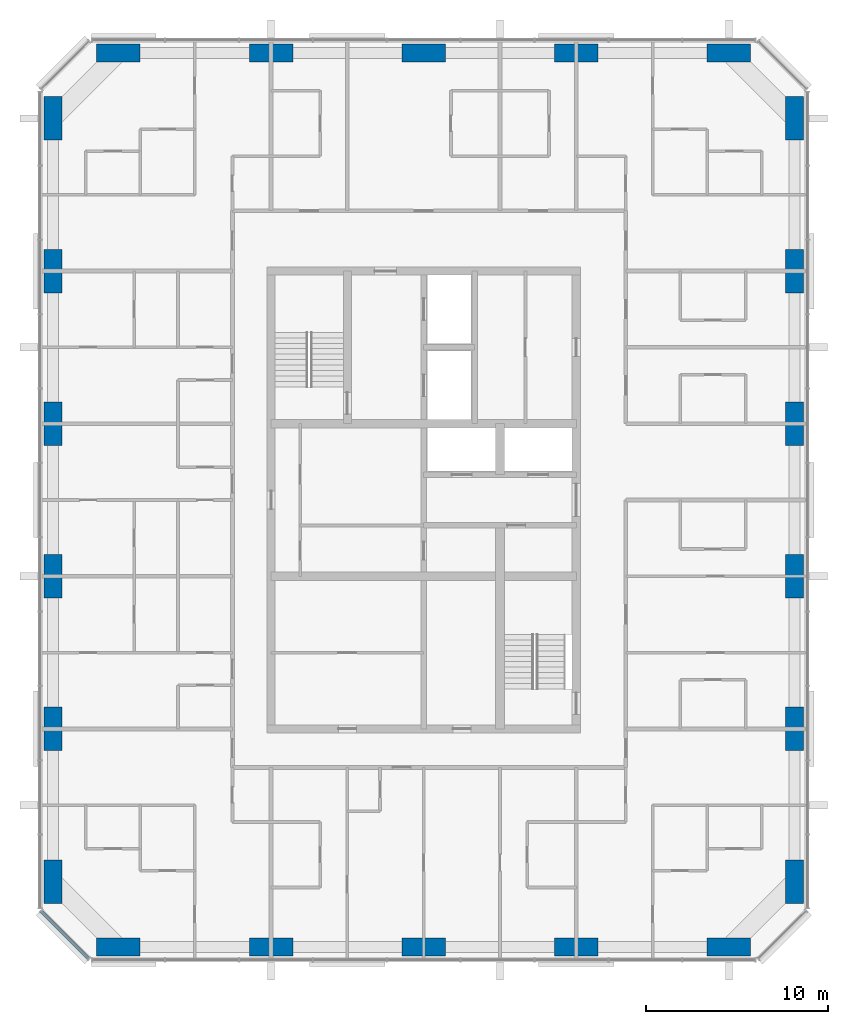
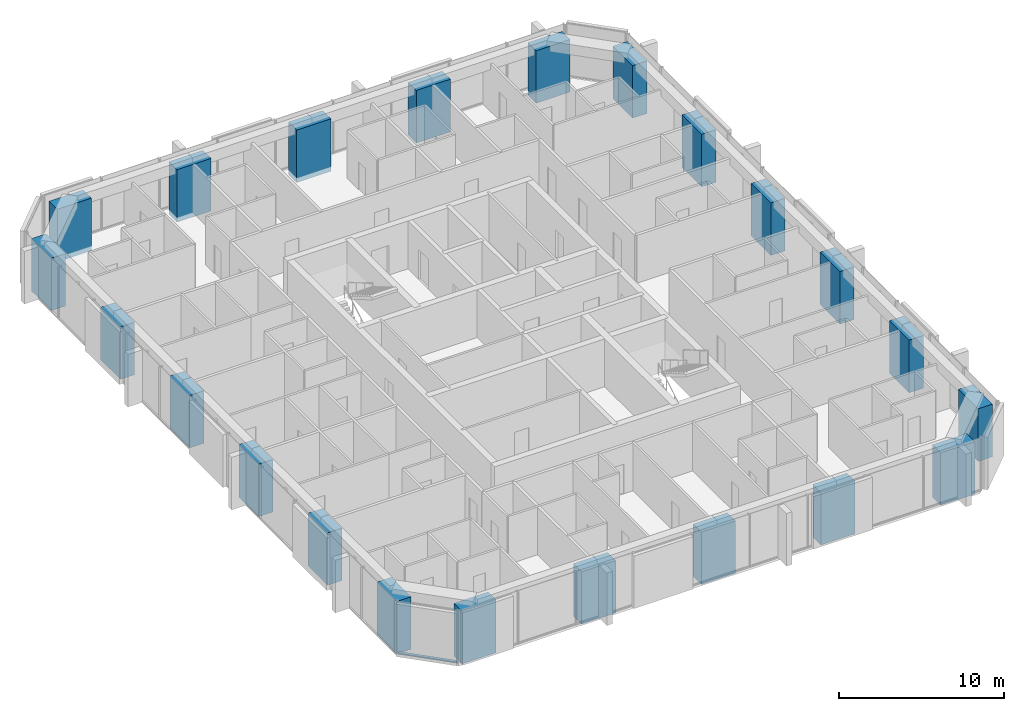
# One storey, part 1 of 12: 22 columns, 1 member, 1 element without a shape of its own.
"""IFC4 building model written with IfcOpenShell, lengths in metres."""

from ifc_helpers import new_model, si_unit, direction, frame, origin, origin_2d, place, context, subcontext, project, spatial, rectangle, extrude, material, material_profile, profile_set, type_object, element, aggregate, save


model = new_model("IFC4")

# Units and contexts
model_context = context("Model", 3, precision=1e-05, world=origin(), true_north=direction((0.0, 1.0)))
body_context = subcontext(model_context, "Body", "Model", "MODEL_VIEW")
ifc_project = project(units=[si_unit("LENGTHUNIT", "METRE"), si_unit("AREAUNIT", "SQUARE_METRE"), si_unit("VOLUMEUNIT", "CUBIC_METRE"), si_unit("PLANEANGLEUNIT", "RADIAN"), si_unit("MASSUNIT", "GRAM", prefix="KILO")], contexts=[model_context])

# Site, building, storey
site_placement = place(None, origin())
site = spatial("IfcSite", under=ifc_project, at=site_placement, CompositionType="ELEMENT")
building_placement = place(site_placement, origin())
building = spatial("IfcBuilding", under=site, at=building_placement, Name="Dunama Terrace Hotel", CompositionType="ELEMENT")
storey_placement = place(building_placement, frame((0.0, 0.0, 260.699951171875)))
storey = spatial("IfcBuildingStorey", under=building, at=storey_placement, Name="L67", CompositionType="ELEMENT", Elevation=260.699951171875)

# Columns
ifc_material_1 = material(Name="Concrete C50/60", Category="concrete")
ifc_material_profile_1 = material_profile(ifc_material_1, rectangle(XDim=1.0, YDim=2.39990234375, at=origin_2d()), Name="RC 1000x2400")
ifc_profile_set_1 = profile_set([ifc_material_profile_1], Name="Concrete C50/60")
column_type_1 = type_object("IfcColumnType", Name="Column RC 1000x2400", PredefinedType="COLUMN", material=ifc_profile_set_1)
for number, where, z_axis, x_axis, name in (
    (1, (13.199951171875, 8.39990234375, -0.349853515625), (0.0, 0.0, 1.0), (1.0, 0.0, 0.0), "Column L67 +13.2/+8.4"),
    (2, (13.199951171875, 16.800048828125, -0.349853515625), (0.0, 0.0, 1.0), (1.0, 0.0, 0.0), "Column L67 +13.2/+16.8"),
    (3, (13.199951171875, 25.199951171875, -0.349853515625), (0.0, 0.0, 1.0), (1.0, 0.0, 0.0), "Column L67 +13.2/+25.2"),
    (4, (13.199951171875, 33.60009765625, -0.349853515625), (0.0, 0.0, 1.0), (1.0, 0.0, 0.0), "Column L67 +13.2/+33.6"),
    (5, (13.199951171875, 42.0, -0.349853515625), (0.0, 0.0, 1.0), (1.0, 0.0, 0.0), "Column L67 +13.2/+42.0"),
    (6, (13.199951171875, 50.39990234375, -0.349853515625), (0.0, 0.0, 1.0), (1.0, 0.0, 0.0), "Column L67 +13.2/+50.4"),
    (7, (54.0, 8.39990234375, -0.349853515625), (0.0, 0.0, 1.0), (1.0, 0.0, 0.0), "Column L67 +54.0/+8.4"),
    (8, (54.0, 16.800048828125, -0.349853515625), (0.0, 0.0, 1.0), (1.0, 0.0, 0.0), "Column L67 +54.0/+16.8"),
    (9, (54.0, 25.199951171875, -0.349853515625), (0.0, 0.0, 1.0), (1.0, 0.0, 0.0), "Column L67 +54.0/+25.2"),
    (10, (54.0, 33.60009765625, -0.349853515625), (0.0, 0.0, 1.0), (1.0, 0.0, 0.0), "Column L67 +54.0/+33.6"),
    (11, (54.0, 42.0, -0.349853515625), (0.0, 0.0, 1.0), (1.0, 0.0, 0.0), "Column L67 +54.0/+42.0"),
    (12, (54.0, 50.39990234375, -0.349853515625), (0.0, 0.0, 1.0), (1.0, 0.0, 0.0), "Column L67 +54.0/+50.4"),
):
    element("IfcColumn", number, at=place(storey_placement, frame(where, z_axis=z_axis, x_axis=x_axis)), inside=storey, type_object=column_type_1, Name=name, PredefinedType="COLUMN", context=body_context, shape_type="SweptSolid", body=[
        extrude(rectangle(XDim=1.0, YDim=2.39990234375, at=origin_2d()), origin(), (0.0, 0.0, 1.0), 3.89990234375),
    ])
ifc_material_2 = material(Name="Concrete C50/60", Category="concrete")
ifc_material_profile_2 = material_profile(ifc_material_2, rectangle(XDim=2.39990234375, YDim=1.0, at=origin_2d()), Name="RC 2400x1000")
ifc_profile_set_2 = profile_set([ifc_material_profile_2], Name="Concrete C50/60")
column_type_2 = type_object("IfcColumnType", Name="Column RC 2400x1000", PredefinedType="COLUMN", material=ifc_profile_set_2)
for number, where, z_axis, x_axis, name in (
    (13, (16.800048828125, 4.800048828125, -0.349853515625), (0.0, 0.0, 1.0), (1.0, 0.0, 0.0), "Column L67 +16.8/+4.8"),
    (14, (16.800048828125, 54.0, -0.349853515625), (0.0, 0.0, 1.0), (1.0, 0.0, 0.0), "Column L67 +16.8/+54.0"),
    (15, (25.199951171875, 4.800048828125, -0.349853515625), (0.0, 0.0, 1.0), (1.0, 0.0, 0.0), "Column L67 +25.2/+4.8"),
    (16, (25.199951171875, 54.0, -0.349853515625), (0.0, 0.0, 1.0), (1.0, 0.0, 0.0), "Column L67 +25.2/+54.0"),
    (17, (33.60009765625, 4.800048828125, -0.349853515625), (0.0, 0.0, 1.0), (1.0, 0.0, 0.0), "Column L67 +33.6/+4.8"),
    (18, (33.60009765625, 54.0, -0.349853515625), (0.0, 0.0, 1.0), (1.0, 0.0, 0.0), "Column L67 +33.6/+54.0"),
    (19, (42.0, 4.800048828125, -0.349853515625), (0.0, 0.0, 1.0), (1.0, 0.0, 0.0), "Column L67 +42.0/+4.8"),
    (20, (42.0, 54.0, -0.349853515625), (0.0, 0.0, 1.0), (1.0, 0.0, 0.0), "Column L67 +42.0/+54.0"),
    (21, (50.39990234375, 4.800048828125, -0.349853515625), (0.0, 0.0, 1.0), (1.0, 0.0, 0.0), "Column L67 +50.4/+4.8"),
    (22, (50.39990234375, 54.0, -0.349853515625), (0.0, 0.0, 1.0), (1.0, 0.0, 0.0), "Column L67 +50.4/+54.0"),
):
    element("IfcColumn", number, at=place(storey_placement, frame(where, z_axis=z_axis, x_axis=x_axis)), inside=storey, type_object=column_type_2, Name=name, PredefinedType="COLUMN", context=body_context, shape_type="SweptSolid", body=[
        extrude(rectangle(XDim=2.39990234375, YDim=1.0, at=origin_2d()), origin(), (0.0, 0.0, 1.0), 3.89990234375),
    ])

# Curtain wall, member
ifc_material_3 = material(Name="Aluminium curtain wall system", Category="aluminium")
curtain_wall_type = type_object("IfcCurtainWallType", Name="Unitised fritted glass wall CW-D", PredefinedType="NOTDEFINED", material=ifc_material_3)
curtain_wall_placement = place(storey_placement, origin())
curtain_wall = element("IfcCurtainWall", 23, at=curtain_wall_placement, inside=storey, type_object=curtain_wall_type, Name="Unitised fritted glass wall CW-D L67", PredefinedType="NOTDEFINED")
ifc_material_4 = material(Name="Aluminium transom", Category="aluminium")
ifc_material_profile_3 = material_profile(ifc_material_4, rectangle(XDim=0.199951171875, YDim=0.0849609375, at=origin_2d()), Name="CWD TRANSOM 200X85")
ifc_profile_set_3 = profile_set([ifc_material_profile_3], Name="Aluminium transom")
member_type = type_object("IfcMemberType", Name="CWD transom 200x85", PredefinedType="USERDEFINED", material=ifc_profile_set_3)
member_placement = place(storey_placement, frame((12.56494140625, 6.76611328125, 0.04248046875), z_axis=(0.707106781187, -0.707106781187, 0.0), x_axis=(0.707106781187, 0.707106781187, 0.0)))
member = element("IfcMember", 24, at=member_placement, type_object=member_type, Name="CWD transom", ObjectType="TRANSOM", PredefinedType="USERDEFINED", context=body_context, shape_type="SweptSolid", body=[
    extrude(rectangle(XDim=0.199951171875, YDim=0.0849609375, at=origin_2d()), origin(), (0.0, 0.0, 1.0), 3.678466796875),
])
aggregate(curtain_wall, [member])

save(model, "model.ifc")
